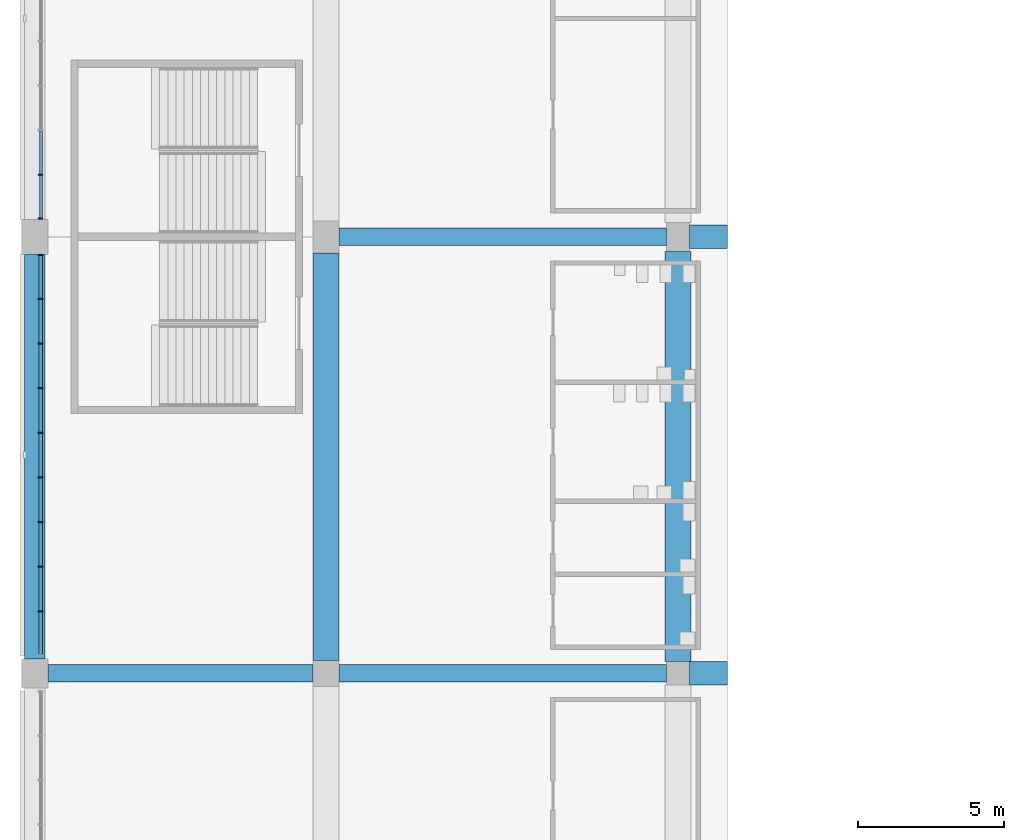
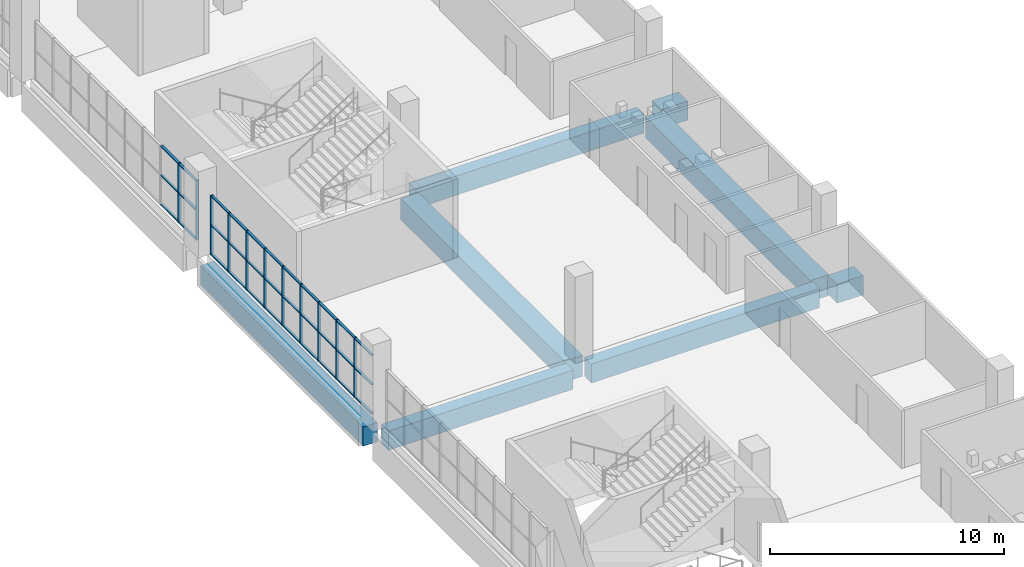
# One storey, part 18 of 199: 44 members, 8 beams, 2 elements without a shape of their own.
"""IFC4 building model written with IfcOpenShell, lengths in metres."""

from ifc_helpers import new_model, si_unit, direction, frame, origin, origin_2d, place, context, subcontext, project, spatial, rectangle, extrude, material, material_profile, profile_set, type_object, element, aggregate, save


model = new_model("IFC4")

# Units and contexts
model_context = context("Model", 3, precision=1e-05, world=origin(), true_north=direction((0.0, 1.0)))
body_context = subcontext(model_context, "Body", "Model", "MODEL_VIEW")
ifc_project = project(units=[si_unit("LENGTHUNIT", "METRE"), si_unit("AREAUNIT", "SQUARE_METRE"), si_unit("VOLUMEUNIT", "CUBIC_METRE"), si_unit("PLANEANGLEUNIT", "RADIAN"), si_unit("MASSUNIT", "GRAM", prefix="KILO")], contexts=[model_context])

# Site, building, storey
site_placement = place(None, origin())
site = spatial("IfcSite", under=ifc_project, at=site_placement, CompositionType="ELEMENT")
building_placement = place(site_placement, origin())
building = spatial("IfcBuilding", under=site, at=building_placement, Name="Ogive Plaza Stadium", CompositionType="ELEMENT")
storey_placement = place(building_placement, frame((0.0, 0.0, 4.5)))
storey = spatial("IfcBuildingStorey", under=building, at=storey_placement, Name="L01", CompositionType="ELEMENT", Elevation=4.5)

# Curtain wall, members
ifc_material_1 = material(Name="Bronze-anodised aluminium with laminated glass", Category="aluminium")
curtain_wall_type = type_object("IfcCurtainWallType", Name="Lancet curtain wall", PredefinedType="NOTDEFINED", material=ifc_material_1)
curtain_wall_1_placement = place(storey_placement, origin())
curtain_wall_1 = element("IfcCurtainWall", 1, at=curtain_wall_1_placement, inside=storey, type_object=curtain_wall_type, Name="CURTAIN WALL B23 L01", PredefinedType="NOTDEFINED")
ifc_material_2 = material(Name="Bronze-anodised aluminium", Category="aluminium")
ifc_material_profile_1 = material_profile(ifc_material_2, rectangle(XDim=0.14990234375, YDim=0.050048828125, at=origin_2d()), Name="AL 150x50")
ifc_profile_set_1 = profile_set([ifc_material_profile_1], Name="Bronze-anodised aluminium")
member_type_1 = type_object("IfcMemberType", Name="Curtain wall mullion 50x150", PredefinedType="MULLION", material=ifc_profile_set_1)
member_1_placement = place(storey_placement, frame((-83.800048828125, -20.36669921875, 0.0), z_axis=(0.0, 0.0, 1.0), x_axis=(-1.0, 0.0, 0.0)))
member_1 = element("IfcMember", 2, at=member_1_placement, type_object=member_type_1, Name="CW-B23-L01 mullion 2", PredefinedType="MULLION", context=body_context, shape_type="SweptSolid", body=[
    extrude(rectangle(XDim=0.14990234375, YDim=0.050048828125, at=origin_2d()), origin(), (0.0, 0.0, 1.0), 3.090087890625),
])
member_2_placement = place(storey_placement, frame((-83.800048828125, -18.833251953125, 0.0), z_axis=(0.0, 0.0, 1.0), x_axis=(-1.0, 0.0, 0.0)))
member_2 = element("IfcMember", 3, at=member_2_placement, type_object=member_type_1, Name="CW-B23-L01 mullion 3", PredefinedType="MULLION", context=body_context, shape_type="SweptSolid", body=[
    extrude(rectangle(XDim=0.14990234375, YDim=0.050048828125, at=origin_2d()), origin(), (0.0, 0.0, 1.0), 3.090087890625),
])
member_3_placement = place(storey_placement, frame((-83.800048828125, -17.300048828125, 0.0), z_axis=(0.0, 0.0, 1.0), x_axis=(-1.0, 0.0, 0.0)))
member_3 = element("IfcMember", 4, at=member_3_placement, type_object=member_type_1, Name="CW-B23-L01 mullion 4", PredefinedType="MULLION", context=body_context, shape_type="SweptSolid", body=[
    extrude(rectangle(XDim=0.14990234375, YDim=0.050048828125, at=origin_2d()), origin(), (0.0, 0.0, 1.0), 3.090087890625),
])
member_4_placement = place(storey_placement, frame((-83.800048828125, -15.7666015625, 0.0), z_axis=(0.0, 0.0, 1.0), x_axis=(-1.0, 0.0, 0.0)))
member_4 = element("IfcMember", 5, at=member_4_placement, type_object=member_type_1, Name="CW-B23-L01 mullion 5", PredefinedType="MULLION", context=body_context, shape_type="SweptSolid", body=[
    extrude(rectangle(XDim=0.14990234375, YDim=0.050048828125, at=origin_2d()), origin(), (0.0, 0.0, 1.0), 3.090087890625),
])
member_5_placement = place(storey_placement, frame((-83.800048828125, -14.2333984375, 0.0), z_axis=(0.0, 0.0, 1.0), x_axis=(-1.0, 0.0, 0.0)))
member_5 = element("IfcMember", 6, at=member_5_placement, type_object=member_type_1, Name="CW-B23-L01 mullion 6", PredefinedType="MULLION", context=body_context, shape_type="SweptSolid", body=[
    extrude(rectangle(XDim=0.14990234375, YDim=0.050048828125, at=origin_2d()), origin(), (0.0, 0.0, 1.0), 3.090087890625),
])
member_6_placement = place(storey_placement, frame((-83.800048828125, -12.699951171875, 0.0), z_axis=(0.0, 0.0, 1.0), x_axis=(-1.0, 0.0, 0.0)))
member_6 = element("IfcMember", 7, at=member_6_placement, type_object=member_type_1, Name="CW-B23-L01 mullion 7", PredefinedType="MULLION", context=body_context, shape_type="SweptSolid", body=[
    extrude(rectangle(XDim=0.14990234375, YDim=0.050048828125, at=origin_2d()), origin(), (0.0, 0.0, 1.0), 3.090087890625),
])
member_7_placement = place(storey_placement, frame((-83.800048828125, -11.166748046875, 0.0), z_axis=(0.0, 0.0, 1.0), x_axis=(-1.0, 0.0, 0.0)))
member_7 = element("IfcMember", 8, at=member_7_placement, type_object=member_type_1, Name="CW-B23-L01 mullion 8", PredefinedType="MULLION", context=body_context, shape_type="SweptSolid", body=[
    extrude(rectangle(XDim=0.14990234375, YDim=0.050048828125, at=origin_2d()), origin(), (0.0, 0.0, 1.0), 3.090087890625),
])
member_8_placement = place(storey_placement, frame((-83.800048828125, -9.63330078125, 0.0), z_axis=(0.0, 0.0, 1.0), x_axis=(-1.0, 0.0, 0.0)))
member_8 = element("IfcMember", 9, at=member_8_placement, type_object=member_type_1, Name="CW-B23-L01 mullion 9", PredefinedType="MULLION", context=body_context, shape_type="SweptSolid", body=[
    extrude(rectangle(XDim=0.14990234375, YDim=0.050048828125, at=origin_2d()), origin(), (0.0, 0.0, 1.0), 3.090087890625),
])
member_9_placement = place(storey_placement, frame((-83.800048828125, -8.125, 0.0), z_axis=(0.0, 0.0, 1.0), x_axis=(-1.0, 0.0, 0.0)))
member_9 = element("IfcMember", 10, at=member_9_placement, type_object=member_type_1, Name="CW-B23-L01 mullion 10", PredefinedType="MULLION", context=body_context, shape_type="SweptSolid", body=[
    extrude(rectangle(XDim=0.14990234375, YDim=0.050048828125, at=origin_2d()), origin(), (0.0, 0.0, 1.0), 3.090087890625),
])

curtain_wall_2_placement = place(storey_placement, origin())
curtain_wall_2 = element("IfcCurtainWall", 11, at=curtain_wall_2_placement, inside=storey, type_object=curtain_wall_type, Name="CURTAIN WALL B24 L01", PredefinedType="NOTDEFINED")
member_10_placement = place(storey_placement, frame((-83.800048828125, -6.875, 0.0), z_axis=(0.0, 0.0, 1.0), x_axis=(-1.0, 0.0, 0.0)))
member_10 = element("IfcMember", 12, at=member_10_placement, type_object=member_type_1, Name="CW-B24-L01 mullion 1", PredefinedType="MULLION", context=body_context, shape_type="SweptSolid", body=[
    extrude(rectangle(XDim=0.14990234375, YDim=0.050048828125, at=origin_2d()), origin(), (0.0, 0.0, 1.0), 3.090087890625),
])
member_11_placement = place(storey_placement, frame((-83.800048828125, -5.36669921875, 0.0), z_axis=(0.0, 0.0, 1.0), x_axis=(-1.0, 0.0, 0.0)))
member_11 = element("IfcMember", 13, at=member_11_placement, type_object=member_type_1, Name="CW-B24-L01 mullion 2", PredefinedType="MULLION", context=body_context, shape_type="SweptSolid", body=[
    extrude(rectangle(XDim=0.14990234375, YDim=0.050048828125, at=origin_2d()), origin(), (0.0, 0.0, 1.0), 3.090087890625),
])

# Member
ifc_material_3 = material(Name="Bronze-anodised aluminium", Category="aluminium")
ifc_material_profile_2 = material_profile(ifc_material_3, rectangle(XDim=0.1201171875, YDim=0.050048828125, at=origin_2d()), Name="AL 120x50")
ifc_profile_set_2 = profile_set([ifc_material_profile_2], Name="Bronze-anodised aluminium")
member_type_2 = type_object("IfcMemberType", Name="Curtain wall transom 50x120", PredefinedType="USERDEFINED", material=ifc_profile_set_2)
member_12_placement = place(storey_placement, frame((-83.800048828125, -21.85009765625, 0.02490234375), z_axis=(0.0, 1.0, 0.0), x_axis=(-1.0, 0.0, 0.0)))
member_12 = element("IfcMember", 14, at=member_12_placement, type_object=member_type_2, Name="CW-B23-L01 transom 1.1", ObjectType="TRANSOM", PredefinedType="USERDEFINED", context=body_context, shape_type="SweptSolid", body=[
    extrude(rectangle(XDim=0.1201171875, YDim=0.050048828125, at=origin_2d()), origin(), (0.0, 0.0, 1.0), 1.45849609375),
])

member_13_placement = place(storey_placement, frame((-83.800048828125, -21.85009765625, 1.544921875), z_axis=(0.0, 1.0, 0.0), x_axis=(-1.0, 0.0, 0.0)))
member_13 = element("IfcMember", 15, at=member_13_placement, type_object=member_type_2, Name="CW-B23-L01 transom 1.2", ObjectType="TRANSOM", PredefinedType="USERDEFINED", context=body_context, shape_type="SweptSolid", body=[
    extrude(rectangle(XDim=0.1201171875, YDim=0.050048828125, at=origin_2d()), origin(), (0.0, 0.0, 1.0), 1.45849609375),
])

member_14_placement = place(storey_placement, frame((-83.800048828125, -21.85009765625, 3.06494140625), z_axis=(0.0, 1.0, 0.0), x_axis=(-1.0, 0.0, 0.0)))
member_14 = element("IfcMember", 16, at=member_14_placement, type_object=member_type_2, Name="CW-B23-L01 transom 1.3", ObjectType="TRANSOM", PredefinedType="USERDEFINED", context=body_context, shape_type="SweptSolid", body=[
    extrude(rectangle(XDim=0.1201171875, YDim=0.050048828125, at=origin_2d()), origin(), (0.0, 0.0, 1.0), 1.45849609375),
])

member_15_placement = place(storey_placement, frame((-83.800048828125, -20.341552734375, 0.02490234375), z_axis=(0.0, 1.0, 0.0), x_axis=(-1.0, 0.0, 0.0)))
member_15 = element("IfcMember", 17, at=member_15_placement, type_object=member_type_2, Name="CW-B23-L01 transom 2.1", ObjectType="TRANSOM", PredefinedType="USERDEFINED", context=body_context, shape_type="SweptSolid", body=[
    extrude(rectangle(XDim=0.1201171875, YDim=0.050048828125, at=origin_2d()), origin(), (0.0, 0.0, 1.0), 1.483154296875),
])

member_16_placement = place(storey_placement, frame((-83.800048828125, -20.341552734375, 1.544921875), z_axis=(0.0, 1.0, 0.0), x_axis=(-1.0, 0.0, 0.0)))
member_16 = element("IfcMember", 18, at=member_16_placement, type_object=member_type_2, Name="CW-B23-L01 transom 2.2", ObjectType="TRANSOM", PredefinedType="USERDEFINED", context=body_context, shape_type="SweptSolid", body=[
    extrude(rectangle(XDim=0.1201171875, YDim=0.050048828125, at=origin_2d()), origin(), (0.0, 0.0, 1.0), 1.483154296875),
])

member_17_placement = place(storey_placement, frame((-83.800048828125, -20.341552734375, 3.06494140625), z_axis=(0.0, 1.0, 0.0), x_axis=(-1.0, 0.0, 0.0)))
member_17 = element("IfcMember", 19, at=member_17_placement, type_object=member_type_2, Name="CW-B23-L01 transom 2.3", ObjectType="TRANSOM", PredefinedType="USERDEFINED", context=body_context, shape_type="SweptSolid", body=[
    extrude(rectangle(XDim=0.1201171875, YDim=0.050048828125, at=origin_2d()), origin(), (0.0, 0.0, 1.0), 1.483154296875),
])

member_18_placement = place(storey_placement, frame((-83.800048828125, -18.808349609375, 0.02490234375), z_axis=(0.0, 1.0, 0.0), x_axis=(-1.0, 0.0, 0.0)))
member_18 = element("IfcMember", 20, at=member_18_placement, type_object=member_type_2, Name="CW-B23-L01 transom 3.1", ObjectType="TRANSOM", PredefinedType="USERDEFINED", context=body_context, shape_type="SweptSolid", body=[
    extrude(rectangle(XDim=0.1201171875, YDim=0.050048828125, at=origin_2d()), origin(), (0.0, 0.0, 1.0), 1.4833984375),
])

member_19_placement = place(storey_placement, frame((-83.800048828125, -18.808349609375, 1.544921875), z_axis=(0.0, 1.0, 0.0), x_axis=(-1.0, 0.0, 0.0)))
member_19 = element("IfcMember", 21, at=member_19_placement, type_object=member_type_2, Name="CW-B23-L01 transom 3.2", ObjectType="TRANSOM", PredefinedType="USERDEFINED", context=body_context, shape_type="SweptSolid", body=[
    extrude(rectangle(XDim=0.1201171875, YDim=0.050048828125, at=origin_2d()), origin(), (0.0, 0.0, 1.0), 1.4833984375),
])

member_20_placement = place(storey_placement, frame((-83.800048828125, -18.808349609375, 3.06494140625), z_axis=(0.0, 1.0, 0.0), x_axis=(-1.0, 0.0, 0.0)))
member_20 = element("IfcMember", 22, at=member_20_placement, type_object=member_type_2, Name="CW-B23-L01 transom 3.3", ObjectType="TRANSOM", PredefinedType="USERDEFINED", context=body_context, shape_type="SweptSolid", body=[
    extrude(rectangle(XDim=0.1201171875, YDim=0.050048828125, at=origin_2d()), origin(), (0.0, 0.0, 1.0), 1.4833984375),
])

member_21_placement = place(storey_placement, frame((-83.800048828125, -17.27490234375, 0.02490234375), z_axis=(0.0, 1.0, 0.0), x_axis=(-1.0, 0.0, 0.0)))
member_21 = element("IfcMember", 23, at=member_21_placement, type_object=member_type_2, Name="CW-B23-L01 transom 4.1", ObjectType="TRANSOM", PredefinedType="USERDEFINED", context=body_context, shape_type="SweptSolid", body=[
    extrude(rectangle(XDim=0.1201171875, YDim=0.050048828125, at=origin_2d()), origin(), (0.0, 0.0, 1.0), 1.483154296875),
])

member_22_placement = place(storey_placement, frame((-83.800048828125, -17.27490234375, 1.544921875), z_axis=(0.0, 1.0, 0.0), x_axis=(-1.0, 0.0, 0.0)))
member_22 = element("IfcMember", 24, at=member_22_placement, type_object=member_type_2, Name="CW-B23-L01 transom 4.2", ObjectType="TRANSOM", PredefinedType="USERDEFINED", context=body_context, shape_type="SweptSolid", body=[
    extrude(rectangle(XDim=0.1201171875, YDim=0.050048828125, at=origin_2d()), origin(), (0.0, 0.0, 1.0), 1.483154296875),
])

member_23_placement = place(storey_placement, frame((-83.800048828125, -17.27490234375, 3.06494140625), z_axis=(0.0, 1.0, 0.0), x_axis=(-1.0, 0.0, 0.0)))
member_23 = element("IfcMember", 25, at=member_23_placement, type_object=member_type_2, Name="CW-B23-L01 transom 4.3", ObjectType="TRANSOM", PredefinedType="USERDEFINED", context=body_context, shape_type="SweptSolid", body=[
    extrude(rectangle(XDim=0.1201171875, YDim=0.050048828125, at=origin_2d()), origin(), (0.0, 0.0, 1.0), 1.483154296875),
])

member_24_placement = place(storey_placement, frame((-83.800048828125, -15.74169921875, 0.02490234375), z_axis=(0.0, 1.0, 0.0), x_axis=(-1.0, 0.0, 0.0)))
member_24 = element("IfcMember", 26, at=member_24_placement, type_object=member_type_2, Name="CW-B23-L01 transom 5.1", ObjectType="TRANSOM", PredefinedType="USERDEFINED", context=body_context, shape_type="SweptSolid", body=[
    extrude(rectangle(XDim=0.1201171875, YDim=0.050048828125, at=origin_2d()), origin(), (0.0, 0.0, 1.0), 1.4833984375),
])

member_25_placement = place(storey_placement, frame((-83.800048828125, -15.74169921875, 1.544921875), z_axis=(0.0, 1.0, 0.0), x_axis=(-1.0, 0.0, 0.0)))
member_25 = element("IfcMember", 27, at=member_25_placement, type_object=member_type_2, Name="CW-B23-L01 transom 5.2", ObjectType="TRANSOM", PredefinedType="USERDEFINED", context=body_context, shape_type="SweptSolid", body=[
    extrude(rectangle(XDim=0.1201171875, YDim=0.050048828125, at=origin_2d()), origin(), (0.0, 0.0, 1.0), 1.4833984375),
])

member_26_placement = place(storey_placement, frame((-83.800048828125, -15.74169921875, 3.06494140625), z_axis=(0.0, 1.0, 0.0), x_axis=(-1.0, 0.0, 0.0)))
member_26 = element("IfcMember", 28, at=member_26_placement, type_object=member_type_2, Name="CW-B23-L01 transom 5.3", ObjectType="TRANSOM", PredefinedType="USERDEFINED", context=body_context, shape_type="SweptSolid", body=[
    extrude(rectangle(XDim=0.1201171875, YDim=0.050048828125, at=origin_2d()), origin(), (0.0, 0.0, 1.0), 1.4833984375),
])

member_27_placement = place(storey_placement, frame((-83.800048828125, -14.208251953125, 0.02490234375), z_axis=(0.0, 1.0, 0.0), x_axis=(-1.0, 0.0, 0.0)))
member_27 = element("IfcMember", 29, at=member_27_placement, type_object=member_type_2, Name="CW-B23-L01 transom 6.1", ObjectType="TRANSOM", PredefinedType="USERDEFINED", context=body_context, shape_type="SweptSolid", body=[
    extrude(rectangle(XDim=0.1201171875, YDim=0.050048828125, at=origin_2d()), origin(), (0.0, 0.0, 1.0), 1.483154296875),
])

member_28_placement = place(storey_placement, frame((-83.800048828125, -14.208251953125, 1.544921875), z_axis=(0.0, 1.0, 0.0), x_axis=(-1.0, 0.0, 0.0)))
member_28 = element("IfcMember", 30, at=member_28_placement, type_object=member_type_2, Name="CW-B23-L01 transom 6.2", ObjectType="TRANSOM", PredefinedType="USERDEFINED", context=body_context, shape_type="SweptSolid", body=[
    extrude(rectangle(XDim=0.1201171875, YDim=0.050048828125, at=origin_2d()), origin(), (0.0, 0.0, 1.0), 1.483154296875),
])

member_29_placement = place(storey_placement, frame((-83.800048828125, -14.208251953125, 3.06494140625), z_axis=(0.0, 1.0, 0.0), x_axis=(-1.0, 0.0, 0.0)))
member_29 = element("IfcMember", 31, at=member_29_placement, type_object=member_type_2, Name="CW-B23-L01 transom 6.3", ObjectType="TRANSOM", PredefinedType="USERDEFINED", context=body_context, shape_type="SweptSolid", body=[
    extrude(rectangle(XDim=0.1201171875, YDim=0.050048828125, at=origin_2d()), origin(), (0.0, 0.0, 1.0), 1.483154296875),
])

member_30_placement = place(storey_placement, frame((-83.800048828125, -12.675048828125, 0.02490234375), z_axis=(0.0, 1.0, 0.0), x_axis=(-1.0, 0.0, 0.0)))
member_30 = element("IfcMember", 32, at=member_30_placement, type_object=member_type_2, Name="CW-B23-L01 transom 7.1", ObjectType="TRANSOM", PredefinedType="USERDEFINED", context=body_context, shape_type="SweptSolid", body=[
    extrude(rectangle(XDim=0.1201171875, YDim=0.050048828125, at=origin_2d()), origin(), (0.0, 0.0, 1.0), 1.4833984375),
])

member_31_placement = place(storey_placement, frame((-83.800048828125, -12.675048828125, 1.544921875), z_axis=(0.0, 1.0, 0.0), x_axis=(-1.0, 0.0, 0.0)))
member_31 = element("IfcMember", 33, at=member_31_placement, type_object=member_type_2, Name="CW-B23-L01 transom 7.2", ObjectType="TRANSOM", PredefinedType="USERDEFINED", context=body_context, shape_type="SweptSolid", body=[
    extrude(rectangle(XDim=0.1201171875, YDim=0.050048828125, at=origin_2d()), origin(), (0.0, 0.0, 1.0), 1.4833984375),
])

member_32_placement = place(storey_placement, frame((-83.800048828125, -12.675048828125, 3.06494140625), z_axis=(0.0, 1.0, 0.0), x_axis=(-1.0, 0.0, 0.0)))
member_32 = element("IfcMember", 34, at=member_32_placement, type_object=member_type_2, Name="CW-B23-L01 transom 7.3", ObjectType="TRANSOM", PredefinedType="USERDEFINED", context=body_context, shape_type="SweptSolid", body=[
    extrude(rectangle(XDim=0.1201171875, YDim=0.050048828125, at=origin_2d()), origin(), (0.0, 0.0, 1.0), 1.4833984375),
])

member_33_placement = place(storey_placement, frame((-83.800048828125, -11.1416015625, 0.02490234375), z_axis=(0.0, 1.0, 0.0), x_axis=(-1.0, 0.0, 0.0)))
member_33 = element("IfcMember", 35, at=member_33_placement, type_object=member_type_2, Name="CW-B23-L01 transom 8.1", ObjectType="TRANSOM", PredefinedType="USERDEFINED", context=body_context, shape_type="SweptSolid", body=[
    extrude(rectangle(XDim=0.1201171875, YDim=0.050048828125, at=origin_2d()), origin(), (0.0, 0.0, 1.0), 1.483154296875),
])

member_34_placement = place(storey_placement, frame((-83.800048828125, -11.1416015625, 1.544921875), z_axis=(0.0, 1.0, 0.0), x_axis=(-1.0, 0.0, 0.0)))
member_34 = element("IfcMember", 36, at=member_34_placement, type_object=member_type_2, Name="CW-B23-L01 transom 8.2", ObjectType="TRANSOM", PredefinedType="USERDEFINED", context=body_context, shape_type="SweptSolid", body=[
    extrude(rectangle(XDim=0.1201171875, YDim=0.050048828125, at=origin_2d()), origin(), (0.0, 0.0, 1.0), 1.483154296875),
])

member_35_placement = place(storey_placement, frame((-83.800048828125, -11.1416015625, 3.06494140625), z_axis=(0.0, 1.0, 0.0), x_axis=(-1.0, 0.0, 0.0)))
member_35 = element("IfcMember", 37, at=member_35_placement, type_object=member_type_2, Name="CW-B23-L01 transom 8.3", ObjectType="TRANSOM", PredefinedType="USERDEFINED", context=body_context, shape_type="SweptSolid", body=[
    extrude(rectangle(XDim=0.1201171875, YDim=0.050048828125, at=origin_2d()), origin(), (0.0, 0.0, 1.0), 1.483154296875),
])

member_36_placement = place(storey_placement, frame((-83.800048828125, -9.6083984375, 0.02490234375), z_axis=(0.0, 1.0, 0.0), x_axis=(-1.0, 0.0, 0.0)))
member_36 = element("IfcMember", 38, at=member_36_placement, type_object=member_type_2, Name="CW-B23-L01 transom 9.1", ObjectType="TRANSOM", PredefinedType="USERDEFINED", context=body_context, shape_type="SweptSolid", body=[
    extrude(rectangle(XDim=0.1201171875, YDim=0.050048828125, at=origin_2d()), origin(), (0.0, 0.0, 1.0), 1.45849609375),
])

member_37_placement = place(storey_placement, frame((-83.800048828125, -9.6083984375, 1.544921875), z_axis=(0.0, 1.0, 0.0), x_axis=(-1.0, 0.0, 0.0)))
member_37 = element("IfcMember", 39, at=member_37_placement, type_object=member_type_2, Name="CW-B23-L01 transom 9.2", ObjectType="TRANSOM", PredefinedType="USERDEFINED", context=body_context, shape_type="SweptSolid", body=[
    extrude(rectangle(XDim=0.1201171875, YDim=0.050048828125, at=origin_2d()), origin(), (0.0, 0.0, 1.0), 1.45849609375),
])

member_38_placement = place(storey_placement, frame((-83.800048828125, -9.6083984375, 3.06494140625), z_axis=(0.0, 1.0, 0.0), x_axis=(-1.0, 0.0, 0.0)))
member_38 = element("IfcMember", 40, at=member_38_placement, type_object=member_type_2, Name="CW-B23-L01 transom 9.3", ObjectType="TRANSOM", PredefinedType="USERDEFINED", context=body_context, shape_type="SweptSolid", body=[
    extrude(rectangle(XDim=0.1201171875, YDim=0.050048828125, at=origin_2d()), origin(), (0.0, 0.0, 1.0), 1.45849609375),
])

aggregate(curtain_wall_1, [member_1, member_2, member_3, member_4, member_5, member_6, member_7, member_8, member_9, member_12, member_13, member_14, member_15, member_16, member_17, member_18, member_19, member_20, member_21, member_22, member_23, member_24, member_25, member_26, member_27, member_28, member_29, member_30, member_31, member_32, member_33, member_34, member_35, member_36, member_37, member_38])

member_39_placement = place(storey_placement, frame((-83.800048828125, -6.85009765625, 0.02490234375), z_axis=(0.0, 1.0, 0.0), x_axis=(-1.0, 0.0, 0.0)))
member_39 = element("IfcMember", 41, at=member_39_placement, type_object=member_type_2, Name="CW-B24-L01 transom 1.1", ObjectType="TRANSOM", PredefinedType="USERDEFINED", context=body_context, shape_type="SweptSolid", body=[
    extrude(rectangle(XDim=0.1201171875, YDim=0.050048828125, at=origin_2d()), origin(), (0.0, 0.0, 1.0), 1.45849609375),
])

member_40_placement = place(storey_placement, frame((-83.800048828125, -6.85009765625, 1.544921875), z_axis=(0.0, 1.0, 0.0), x_axis=(-1.0, 0.0, 0.0)))
member_40 = element("IfcMember", 42, at=member_40_placement, type_object=member_type_2, Name="CW-B24-L01 transom 1.2", ObjectType="TRANSOM", PredefinedType="USERDEFINED", context=body_context, shape_type="SweptSolid", body=[
    extrude(rectangle(XDim=0.1201171875, YDim=0.050048828125, at=origin_2d()), origin(), (0.0, 0.0, 1.0), 1.45849609375),
])

member_41_placement = place(storey_placement, frame((-83.800048828125, -6.85009765625, 3.06494140625), z_axis=(0.0, 1.0, 0.0), x_axis=(-1.0, 0.0, 0.0)))
member_41 = element("IfcMember", 43, at=member_41_placement, type_object=member_type_2, Name="CW-B24-L01 transom 1.3", ObjectType="TRANSOM", PredefinedType="USERDEFINED", context=body_context, shape_type="SweptSolid", body=[
    extrude(rectangle(XDim=0.1201171875, YDim=0.050048828125, at=origin_2d()), origin(), (0.0, 0.0, 1.0), 1.45849609375),
])

member_42_placement = place(storey_placement, frame((-83.800048828125, -5.341552734375, 0.02490234375), z_axis=(0.0, 1.0, 0.0), x_axis=(-1.0, 0.0, 0.0)))
member_42 = element("IfcMember", 44, at=member_42_placement, type_object=member_type_2, Name="CW-B24-L01 transom 2.1", ObjectType="TRANSOM", PredefinedType="USERDEFINED", context=body_context, shape_type="SweptSolid", body=[
    extrude(rectangle(XDim=0.1201171875, YDim=0.050048828125, at=origin_2d()), origin(), (0.0, 0.0, 1.0), 1.483154296875),
])

member_43_placement = place(storey_placement, frame((-83.800048828125, -5.341552734375, 1.544921875), z_axis=(0.0, 1.0, 0.0), x_axis=(-1.0, 0.0, 0.0)))
member_43 = element("IfcMember", 45, at=member_43_placement, type_object=member_type_2, Name="CW-B24-L01 transom 2.2", ObjectType="TRANSOM", PredefinedType="USERDEFINED", context=body_context, shape_type="SweptSolid", body=[
    extrude(rectangle(XDim=0.1201171875, YDim=0.050048828125, at=origin_2d()), origin(), (0.0, 0.0, 1.0), 1.483154296875),
])

member_44_placement = place(storey_placement, frame((-83.800048828125, -5.341552734375, 3.06494140625), z_axis=(0.0, 1.0, 0.0), x_axis=(-1.0, 0.0, 0.0)))
member_44 = element("IfcMember", 46, at=member_44_placement, type_object=member_type_2, Name="CW-B24-L01 transom 2.3", ObjectType="TRANSOM", PredefinedType="USERDEFINED", context=body_context, shape_type="SweptSolid", body=[
    extrude(rectangle(XDim=0.1201171875, YDim=0.050048828125, at=origin_2d()), origin(), (0.0, 0.0, 1.0), 1.483154296875),
])

aggregate(curtain_wall_2, [member_10, member_11, member_39, member_40, member_41, member_42, member_43, member_44])

# Beams
ifc_material_4 = material(Name="Concrete C40/50", Category="concrete")
ifc_material_profile_3 = material_profile(ifc_material_4, rectangle(XDim=0.60009765625, YDim=1.0, at=origin_2d()), Name="RC 600x1000")
ifc_profile_set_3 = profile_set([ifc_material_profile_3], Name="Concrete C40/50")
beam_type_1 = type_object("IfcBeamType", Name="RC radial beam 600x1000", PredefinedType="BEAM", material=ifc_profile_set_3)
beam_1_placement = place(storey_placement, frame((-62.300048828125, -22.5, -0.909912109375), z_axis=(-1.0, 0.0, 0.0), x_axis=(0.0, -1.0, 0.0)))
element("IfcBeam", 47, at=beam_1_placement, inside=storey, type_object=beam_type_1, Name="Radial beam L01 R23 F3F4", PredefinedType="BEAM", context=body_context, shape_type="SweptSolid", body=[
    extrude(rectangle(XDim=0.60009765625, YDim=1.0, at=origin_2d()), origin(), (0.0, 0.0, 1.0), 11.25),
])
beam_2_placement = place(storey_placement, frame((-74.449951171875, -22.5, -0.909912109375), z_axis=(-1.0, 0.0, 0.0), x_axis=(0.0, -1.0, 0.0)))
element("IfcBeam", 48, at=beam_2_placement, inside=storey, type_object=beam_type_1, Name="Radial beam L01 R23 F4F5", PredefinedType="BEAM", context=body_context, shape_type="SweptSolid", body=[
    extrude(rectangle(XDim=0.60009765625, YDim=1.0, at=origin_2d()), origin(), (0.0, 0.0, 1.0), 9.10009765625),
])
beam_3_placement = place(storey_placement, frame((-62.300048828125, -7.5, -0.909912109375), z_axis=(-1.0, 0.0, 0.0), x_axis=(0.0, -1.0, 0.0)))
element("IfcBeam", 49, at=beam_3_placement, inside=storey, type_object=beam_type_1, Name="Radial beam L01 R24 F3F4", PredefinedType="BEAM", context=body_context, shape_type="SweptSolid", body=[
    extrude(rectangle(XDim=0.60009765625, YDim=1.0, at=origin_2d()), origin(), (0.0, 0.0, 1.0), 11.25),
])
ifc_material_5 = material(Name="Concrete C40/50", Category="concrete")
ifc_material_profile_4 = material_profile(ifc_material_5, rectangle(XDim=0.800048828125, YDim=1.0, at=origin_2d()), Name="RC 800x1000")
ifc_profile_set_4 = profile_set([ifc_material_profile_4], Name="Concrete C40/50")
beam_type_2 = type_object("IfcBeamType", Name="RC radial beam 800x1000", PredefinedType="BEAM", material=ifc_profile_set_4)
for number, where, z_axis, x_axis, name in (
    (50, (-60.199951171875, -22.5, -0.909912109375), (-1.0, 0.0, 0.0), (0.0, -1.0, 0.0), "Raker tail beam LT R23"),
    (51, (-60.199951171875, -7.5, -0.909912109375), (-1.0, 0.0, 0.0), (0.0, -1.0, 0.0), "Raker tail beam LT R24"),
):
    element("IfcBeam", number, at=place(storey_placement, frame(where, z_axis=z_axis, x_axis=x_axis)), inside=storey, type_object=beam_type_2, Name=name, PredefinedType="BEAM", context=body_context, shape_type="SweptSolid", body=[
        extrude(rectangle(XDim=0.800048828125, YDim=1.0, at=origin_2d()), origin(), (0.0, 0.0, 1.0), 1.300048828125),
    ])
ifc_material_6 = material(Name="Concrete C40/50", Category="concrete")
ifc_material_profile_5 = material_profile(ifc_material_6, rectangle(XDim=0.89990234375, YDim=1.10009765625, at=origin_2d()), Name="RC 900x1100")
ifc_profile_set_5 = profile_set([ifc_material_profile_5], Name="Concrete C40/50")
beam_type_3 = type_object("IfcBeamType", Name="RC ring beam 900x1100", PredefinedType="BEAM", material=ifc_profile_set_5)
beam_4_placement = place(storey_placement, frame((-74.0, -22.050048828125, -0.9599609375), z_axis=(0.0, 1.0, 0.0), x_axis=(-1.0, 0.0, 0.0)))
element("IfcBeam", 52, at=beam_4_placement, inside=storey, type_object=beam_type_3, Name="Ring beam F4 L01 B23", PredefinedType="BEAM", context=body_context, shape_type="SweptSolid", body=[
    extrude(rectangle(XDim=0.89990234375, YDim=1.10009765625, at=origin_2d()), origin(), (0.0, 0.0, 1.0), 14.0),
])
beam_5_placement = place(storey_placement, frame((-61.89990234375, -22.10009765625, -0.9599609375), z_axis=(0.0, 1.0, 0.0), x_axis=(-1.0, 0.0, 0.0)))
element("IfcBeam", 53, at=beam_5_placement, inside=storey, type_object=beam_type_3, Name="Ring beam F3 L01 B23", PredefinedType="BEAM", context=body_context, shape_type="SweptSolid", body=[
    extrude(rectangle(XDim=0.89990234375, YDim=1.10009765625, at=origin_2d()), origin(), (0.0, 0.0, 1.0), 14.10009765625),
])
ifc_material_7 = material(Name="Concrete C40/50", Category="concrete")
ifc_material_profile_6 = material_profile(ifc_material_7, rectangle(XDim=0.699951171875, YDim=1.0, at=origin_2d()), Name="RC 700x1000")
ifc_profile_set_6 = profile_set([ifc_material_profile_6], Name="Concrete C40/50")
beam_type_4 = type_object("IfcBeamType", Name="RC spandrel beam 700x1000", PredefinedType="SPANDREL", material=ifc_profile_set_6)
beam_6_placement = place(storey_placement, frame((-84.0, -22.0, -0.909912109375), z_axis=(0.0, 1.0, 0.0), x_axis=(-1.0, 0.0, 0.0)))
element("IfcBeam", 54, at=beam_6_placement, inside=storey, type_object=beam_type_4, Name="Ring beam F5 L01 B23", PredefinedType="SPANDREL", context=body_context, shape_type="SweptSolid", body=[
    extrude(rectangle(XDim=0.699951171875, YDim=1.0, at=origin_2d()), origin(), (0.0, 0.0, 1.0), 13.89990234375),
])

save(model, "model.ifc")
